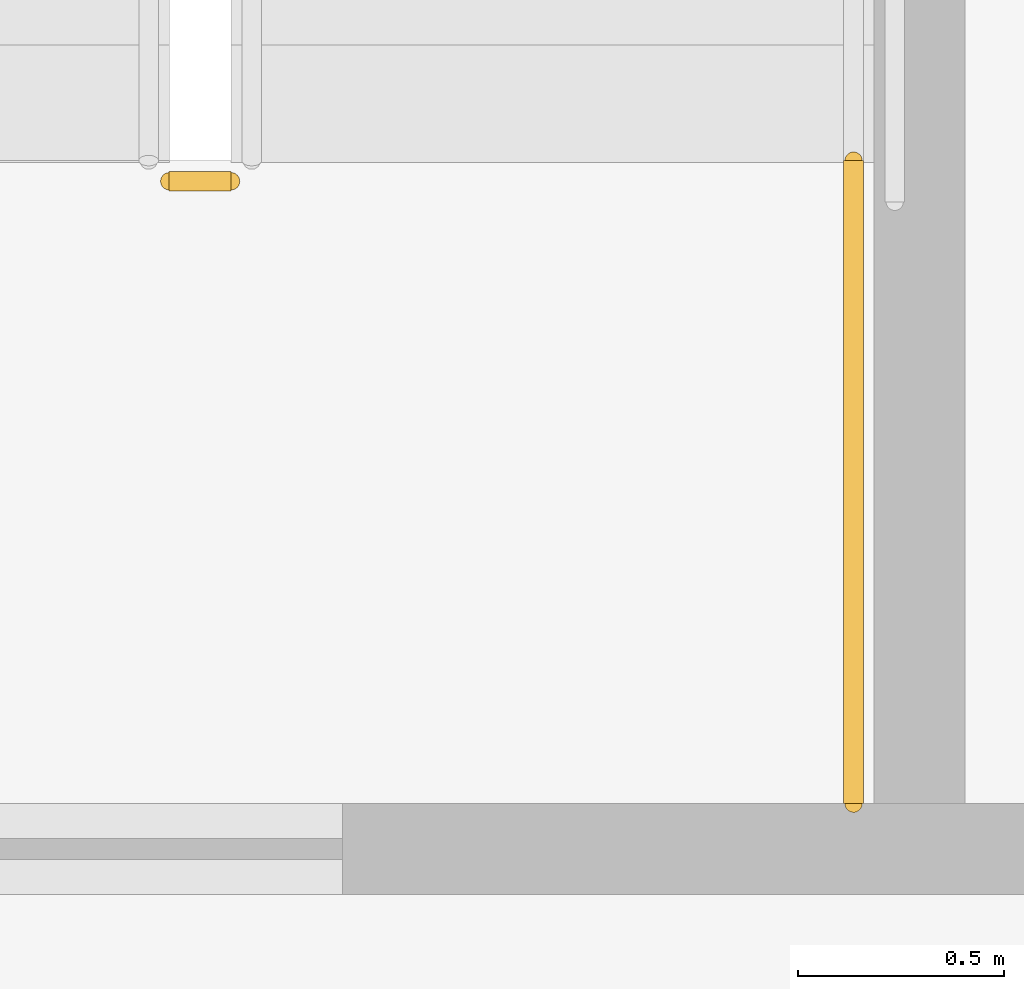
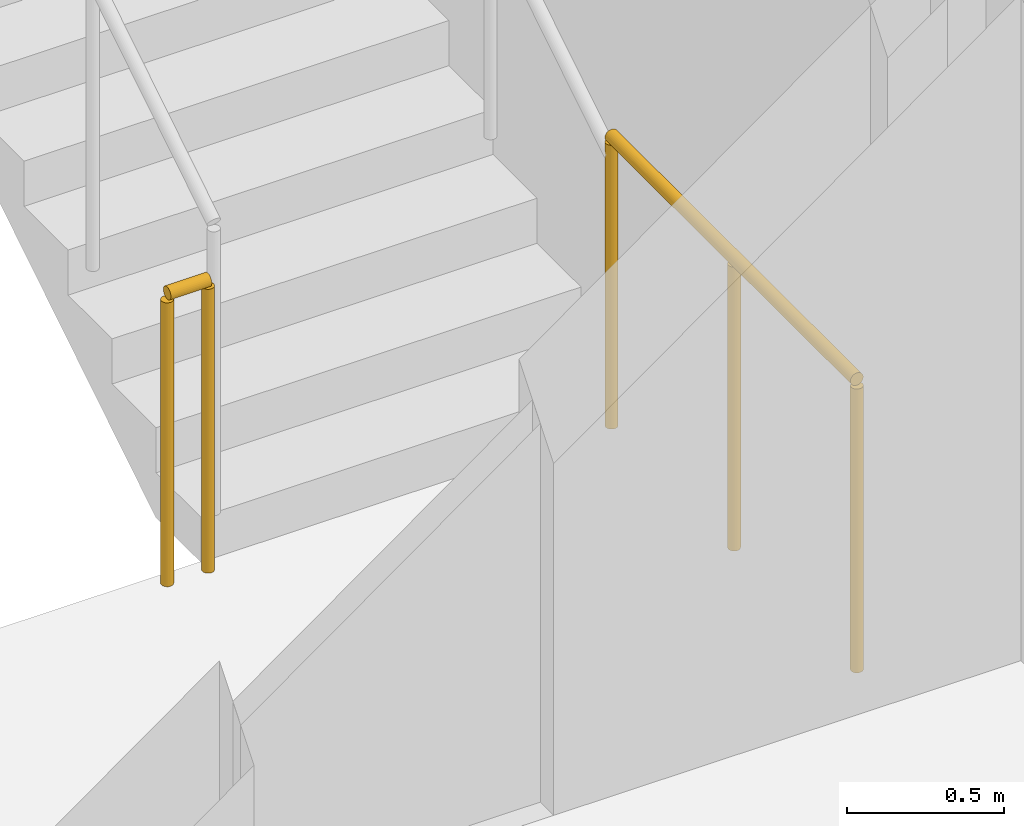
# One storey, part 12 of 16: 2 railings.
"""IFC4 building model written with IfcOpenShell, lengths in metres."""

from ifc_helpers import new_model, si_unit, direction, frame, origin, origin_2d, place, context, subcontext, project, spatial, circle, extrude, material, type_object, element, save


model = new_model("IFC4")

# Units and contexts
model_context = context("Model", 3, precision=1e-05, world=origin(), true_north=direction((0.0, 1.0)))
body_context = subcontext(model_context, "Body", "Model", "MODEL_VIEW")
ifc_project = project(units=[si_unit("LENGTHUNIT", "METRE"), si_unit("AREAUNIT", "SQUARE_METRE"), si_unit("VOLUMEUNIT", "CUBIC_METRE"), si_unit("PLANEANGLEUNIT", "RADIAN"), si_unit("MASSUNIT", "GRAM", prefix="KILO")], contexts=[model_context])

# Site, building, storey
site_placement = place(None, origin())
site = spatial("IfcSite", under=ifc_project, at=site_placement, CompositionType="ELEMENT")
building_placement = place(site_placement, origin())
building = spatial("IfcBuilding", under=site, at=building_placement, Name="Khairoan Windgate Tower", CompositionType="ELEMENT")
storey_placement = place(building_placement, frame((0.0, 0.0, 97.39990234375)))
storey = spatial("IfcBuildingStorey", under=building, at=storey_placement, Name="L22", CompositionType="ELEMENT", Elevation=97.39990234375)

# Railings
ifc_material = material(Name="Steel S355", Category="steel")
railing_type = type_object("IfcRailingType", Name="Stairwell Safety Guardrail SGR-1150", PredefinedType="GUARDRAIL", material=ifc_material)
railing_1_placement = place(storey_placement, frame((-17.7099609375, 2.909912109375, 0.0)))
element("IfcRailing", 1, at=railing_1_placement, inside=storey, type_object=railing_type, Name="L22 ST2 stair guard 7", PredefinedType="GUARDRAIL", context=body_context, shape_type="SweptSolid", body=[
    extrude(circle(Radius=0.02392578125, at=origin_2d()), frame((0.0, 0.0, 1.1259765625), z_axis=(-1.0, 0.0, 0.0), x_axis=(0.0, -1.0, 0.0)), (0.0, 0.0, 1.0), 0.150146484375),
    extrude(circle(Radius=0.02099609375, at=origin_2d()), origin(), (0.0, 0.0, 1.0), 1.101806640625),
    extrude(circle(Radius=0.02099609375, at=origin_2d()), frame((-0.150146484375, 0.0, 0.0)), (0.0, 0.0, 1.0), 1.101806640625),
])
railing_2_placement = place(storey_placement, frame((-16.199951171875, 1.39990234375, 0.0)))
element("IfcRailing", 2, at=railing_2_placement, inside=storey, type_object=railing_type, Name="L22 ST2 stair guard 8", PredefinedType="GUARDRAIL", context=body_context, shape_type="SweptSolid", body=[
    extrude(circle(Radius=0.02392578125, at=origin_2d()), frame((0.0, 0.0, 1.1259765625), z_axis=(0.0, 1.0, 0.0), x_axis=(-1.0, 0.0, 0.0)), (0.0, 0.0, 1.0), 1.56005859375),
    extrude(circle(Radius=0.02099609375, at=origin_2d()), origin(), (0.0, 0.0, 1.0), 1.101806640625),
    extrude(circle(Radius=0.02099609375, at=origin_2d()), frame((0.0, 0.780029296875, 0.0)), (0.0, 0.0, 1.0), 1.101806640625),
    extrude(circle(Radius=0.02099609375, at=origin_2d()), frame((0.0, 1.56005859375, 0.0)), (0.0, 0.0, 1.0), 1.101806640625),
])

save(model, "model.ifc")
